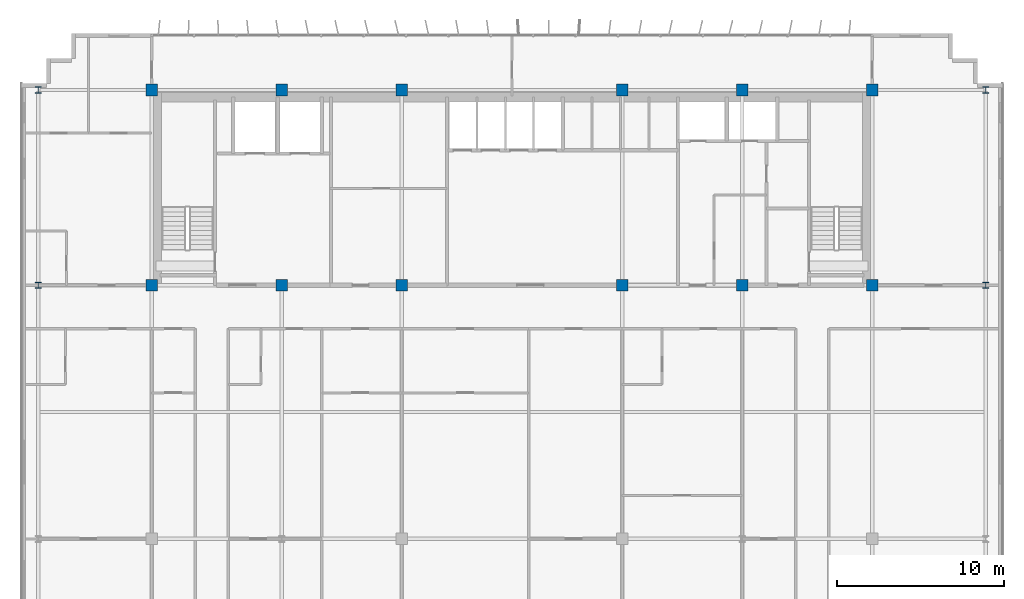
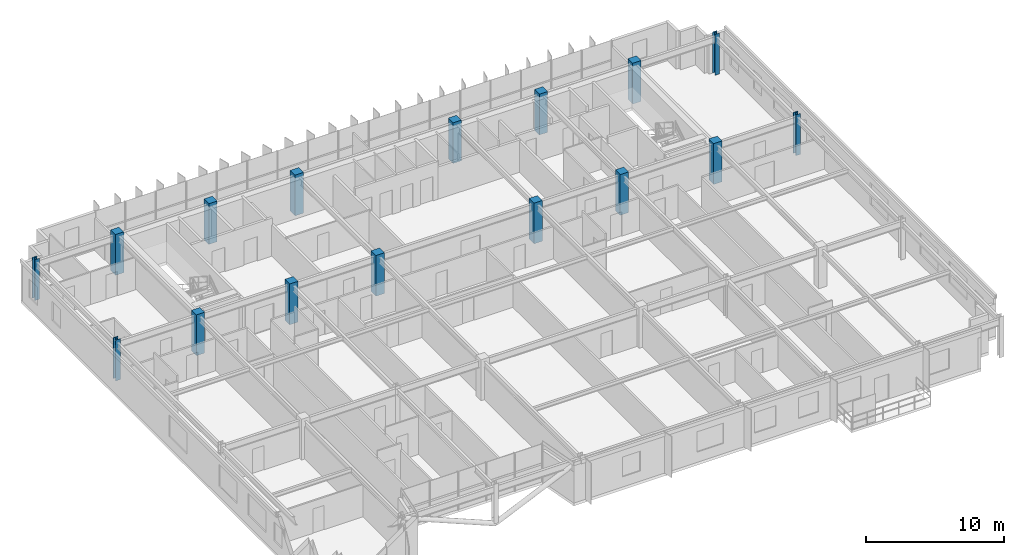
# One storey, part 2 of 24: 16 columns.
"""IFC4 building model written with IfcOpenShell, lengths in metres."""

from ifc_helpers import new_model, si_unit, direction, frame, origin, origin_2d, place, context, subcontext, project, spatial, rectangle, i_section, extrude, source, transform, mapped, material, material_profile, profile_set, type_object, element, save


model = new_model("IFC4")

# Units and contexts
model_context = context("Model", 3, precision=1e-05, world=origin(), true_north=direction((0.0, 1.0)))
body_context = subcontext(model_context, "Body", "Model", "MODEL_VIEW")
ifc_project = project(units=[si_unit("LENGTHUNIT", "METRE"), si_unit("AREAUNIT", "SQUARE_METRE"), si_unit("VOLUMEUNIT", "CUBIC_METRE"), si_unit("PLANEANGLEUNIT", "RADIAN"), si_unit("MASSUNIT", "GRAM", prefix="KILO")], contexts=[model_context])

# Site, building, storey
site_placement = place(None, origin())
site = spatial("IfcSite", under=ifc_project, at=site_placement, CompositionType="ELEMENT")
building_placement = place(site_placement, origin())
building = spatial("IfcBuilding", under=site, at=building_placement, Name="Trelvane Seafront Commons", CompositionType="ELEMENT")
storey_placement = place(building_placement, frame((0.0, 0.0, 175.300048828125)))
storey = spatial("IfcBuildingStorey", under=building, at=storey_placement, Name="L46", CompositionType="ELEMENT", Elevation=175.300048828125)

# Columns
ifc_material_1 = material(Name="Steel SM355 (S355)", Category="steel")
ifc_material_profile_1 = material_profile(ifc_material_1, i_section(OverallWidth=0.3798828125, OverallDepth=0.3798828125, WebThickness=0.02001953125, FlangeThickness=0.030029296875, at=origin_2d()), Name="HD-380x380x20x30")
ifc_profile_set_1 = profile_set([ifc_material_profile_1], Name="Steel SM355 (S355)")
column_type_1 = type_object("IfcColumnType", Name="STR-COL-HD380", PredefinedType="COLUMN", material=ifc_profile_set_1)
shared_shape_1 = source(origin(), body_context, "Body", "SweptSolid", [
    extrude(i_section(OverallWidth=0.3798828125, OverallDepth=0.3798828125, WebThickness=0.02001953125, FlangeThickness=0.030029296875, at=origin_2d()), origin(), (0.0, 0.0, 1.0), 3.599853515625),
])
for number, where, z_axis, x_axis, name in (
    (1, (8.800048828125, 33.39990234375, 0.0), (0.0, 0.0, 1.0), (1.0, 0.0, 0.0), "L46 Column TC-CS8.8"),
    (2, (8.800048828125, 45.10009765625, 0.0), (0.0, 0.0, 1.0), (1.0, 0.0, 0.0), "L46 Column TC-CN8.8"),
    (3, (65.60009765625, 33.39990234375, 0.0), (0.0, 0.0, 1.0), (1.0, 0.0, 0.0), "L46 Column TC-CS65.6"),
    (4, (65.60009765625, 45.10009765625, 0.0), (0.0, 0.0, 1.0), (1.0, 0.0, 0.0), "L46 Column TC-CN65.6"),
):
    element("IfcColumn", number, at=place(storey_placement, frame(where, z_axis=z_axis, x_axis=x_axis)), inside=storey, type_object=column_type_1, Name=name, PredefinedType="COLUMN", context=body_context, shape_type="MappedRepresentation", body=[
        mapped(shared_shape_1, transform((0.0, 0.0, 0.0), x_axis=(1.0, 0.0, 0.0), y_axis=(0.0, 1.0, 0.0), z_axis=(0.0, 0.0, 1.0), scale=1.0)),
    ])
ifc_material_2 = material(Name="Concrete C50/60", Category="concrete")
ifc_material_profile_2 = material_profile(ifc_material_2, rectangle(XDim=0.699951171875, YDim=0.699951171875, at=origin_2d()), Name="RC-700x700")
ifc_profile_set_2 = profile_set([ifc_material_profile_2], Name="Concrete C50/60")
column_type_2 = type_object("IfcColumnType", Name="STR-COL-RC700", PredefinedType="COLUMN", material=ifc_profile_set_2)
shared_shape_2 = source(origin(), body_context, "Body", "SweptSolid", [
    extrude(rectangle(XDim=0.699951171875, YDim=0.699951171875, at=origin_2d()), origin(), (0.0, 0.0, 1.0), 3.599853515625),
])
for number, where, z_axis, x_axis, name in (
    (5, (15.60009765625, 33.39990234375, 0.0), (0.0, 0.0, 1.0), (1.0, 0.0, 0.0), "L46 Column TC-CS15.6"),
    (6, (15.60009765625, 45.10009765625, 0.0), (0.0, 0.0, 1.0), (1.0, 0.0, 0.0), "L46 Column TC-CN15.6"),
    (7, (23.39990234375, 33.39990234375, 0.0), (0.0, 0.0, 1.0), (1.0, 0.0, 0.0), "L46 Column TC-CS23.4"),
    (8, (23.39990234375, 45.10009765625, 0.0), (0.0, 0.0, 1.0), (1.0, 0.0, 0.0), "L46 Column TC-CN23.4"),
    (9, (30.60009765625, 33.39990234375, 0.0), (0.0, 0.0, 1.0), (1.0, 0.0, 0.0), "L46 Column TC-CS30.6"),
    (10, (30.60009765625, 45.10009765625, 0.0), (0.0, 0.0, 1.0), (1.0, 0.0, 0.0), "L46 Column TC-CN30.6"),
    (11, (43.800048828125, 33.39990234375, 0.0), (0.0, 0.0, 1.0), (1.0, 0.0, 0.0), "L46 Column TC-CS43.8"),
    (12, (43.800048828125, 45.10009765625, 0.0), (0.0, 0.0, 1.0), (1.0, 0.0, 0.0), "L46 Column TC-CN43.8"),
    (13, (51.0, 33.39990234375, 0.0), (0.0, 0.0, 1.0), (1.0, 0.0, 0.0), "L46 Column TC-CS51.0"),
    (14, (51.0, 45.10009765625, 0.0), (0.0, 0.0, 1.0), (1.0, 0.0, 0.0), "L46 Column TC-CN51.0"),
    (15, (58.800048828125, 33.39990234375, 0.0), (0.0, 0.0, 1.0), (1.0, 0.0, 0.0), "L46 Column TC-CS58.8"),
    (16, (58.800048828125, 45.10009765625, 0.0), (0.0, 0.0, 1.0), (1.0, 0.0, 0.0), "L46 Column TC-CN58.8"),
):
    element("IfcColumn", number, at=place(storey_placement, frame(where, z_axis=z_axis, x_axis=x_axis)), inside=storey, type_object=column_type_2, Name=name, PredefinedType="COLUMN", context=body_context, shape_type="MappedRepresentation", body=[
        mapped(shared_shape_2, transform((0.0, 0.0, 0.0), x_axis=(1.0, 0.0, 0.0), y_axis=(0.0, 1.0, 0.0), z_axis=(0.0, 0.0, 1.0), scale=1.0)),
    ])

save(model, "model.ifc")
